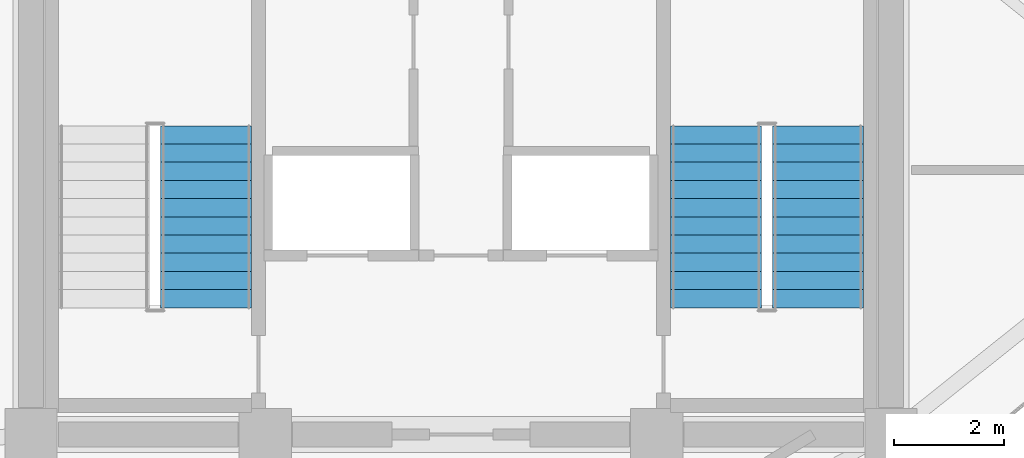
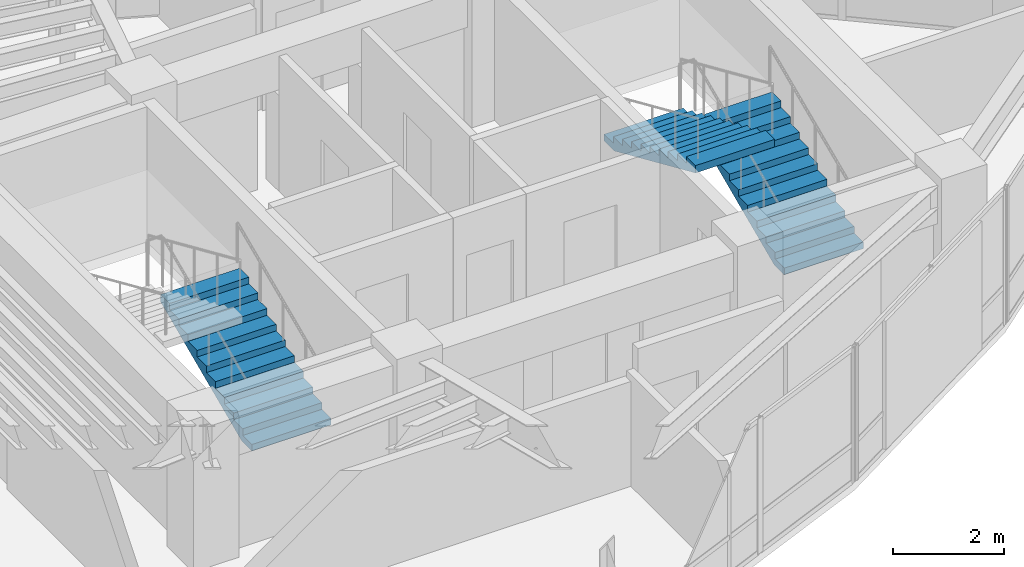
# One storey, part 13 of 14: 3 stair flights, 2 elements without a shape of their own.
"""IFC4 building model written with IfcOpenShell, lengths in metres."""

import ifcopenshell
import ifcopenshell.guid

model = None  # the IFC model being written
_history = None  # IfcOwnerHistory: only IFC2X3 demands one
_inside = {}  # id of a spatial element -> (the spatial element, [elements in it])
_under = {}  # id of a project, library or spatial element -> (it, [spatial elements below it])
_declared = {}  # id of a project -> (the project, [libraries it declares])
_typed = {}  # id of a type object -> (the type object, [elements of that type])
_made_of = {}  # id of a material, layer set ... -> (it, [elements and type objects made of it])


def new_model(schema):
    """Start an empty IFC model of exactly this schema.

    Asked for "IFC4X3", IfcOpenShell would pick the latest addendum, in which some entities
    have other attributes; the version numbers below select the first issue.
    IFC2X3 requires an IfcOwnerHistory on every rooted entity: one is made here for all.
    """
    global model, _history
    if schema == "IFC4X3":
        model = ifcopenshell.file(schema_version=(4, 3, 0, 0))
    else:
        model = ifcopenshell.file(schema=schema)
    _inside.clear()
    _under.clear()
    _declared.clear()
    _typed.clear()
    _made_of.clear()
    _history = None
    if model.schema == "IFC2X3":
        org = make("IfcOrganization", Name="unknown")
        user = make(
            "IfcPersonAndOrganization",
            ThePerson=make("IfcPerson", FamilyName="unknown"),
            TheOrganization=org,
        )
        app = make(
            "IfcApplication",
            ApplicationDeveloper=org,
            Version="unknown",
            ApplicationFullName="unknown",
            ApplicationIdentifier="unknown",
        )
        _history = make(
            "IfcOwnerHistory",
            OwningUser=user,
            OwningApplication=app,
            ChangeAction="ADDED",
            CreationDate=0,
        )
    return model


def make(cls, **values):
    """One entity of the class cls with the attributes given. An attribute that is None is left unset."""
    return model.create_entity(
        cls, **{name: value for name, value in values.items() if value is not None}
    )


def rooted(cls, **values):
    """An entity with a GlobalId (a new one), such as an element, a storey or a relation."""
    return make(cls, GlobalId=ifcopenshell.guid.new(), OwnerHistory=_history, **values)


def si_unit(unit_type, name, prefix=None):
    """IfcSIUnit, for example si_unit("LENGTHUNIT", "METRE", prefix="MILLI")."""
    return make("IfcSIUnit", UnitType=unit_type, Prefix=prefix, Name=name)


def assignment(units):
    """IfcUnitAssignment: the units of a project."""
    return None if units is None else make("IfcUnitAssignment", Units=units)


def point(xyz):
    """IfcCartesianPoint."""
    return None if xyz is None else make("IfcCartesianPoint", Coordinates=xyz)


def direction(xyz):
    """IfcDirection."""
    return None if xyz is None else make("IfcDirection", DirectionRatios=xyz)


def frame(location, z_axis=None, x_axis=None):
    """IfcAxis2Placement3D, a coordinate frame: its origin and axes. An axis left out is left unset."""
    return make(
        "IfcAxis2Placement3D",
        Location=point(location),
        Axis=direction(z_axis),
        RefDirection=direction(x_axis),
    )


def origin():
    """The frame at (0, 0, 0) with its axes left unset."""
    return frame((0.0, 0.0, 0.0))


def place(relative_to, where):
    """IfcLocalPlacement: puts the frame where relative to a parent placement (None: the world)."""
    return make(
        "IfcLocalPlacement", PlacementRelTo=relative_to, RelativePlacement=where
    )


def context(
    kind, dimensions, precision=None, world=None, true_north=None, identifier=None
):
    """IfcGeometricRepresentationContext, for example the 3D "Model" context."""
    return make(
        "IfcGeometricRepresentationContext",
        ContextIdentifier=identifier,
        ContextType=kind,
        CoordinateSpaceDimension=dimensions,
        Precision=precision,
        WorldCoordinateSystem=world,
        TrueNorth=true_north,
    )


def subcontext(parent, identifier, kind, view, scale=None):
    """IfcGeometricRepresentationSubContext, for example "Body" below "Model"."""
    return make(
        "IfcGeometricRepresentationSubContext",
        ContextIdentifier=identifier,
        ContextType=kind,
        ParentContext=parent,
        TargetScale=scale,
        TargetView=view,
    )


def project(units=None, contexts=None):
    """IfcProject with its units and contexts."""
    return rooted(
        "IfcProject",
        Name="project",
        RepresentationContexts=contexts,
        UnitsInContext=assignment(units),
    )


def spatial(cls, under=None, at=None, **own):
    """A site, building, storey or space (cls), placed at a placement, below another one or the project."""
    s = rooted(cls, ObjectPlacement=at, **own)
    if under is not None:
        _under.setdefault(under.id(), (under, []))[1].append(s)
    return s


def polyline(points):
    """IfcPolyline through the points."""
    return make("IfcPolyline", Points=[point(p) for p in points])


def outline(outer, holes=None, kind="AREA"):
    """IfcArbitraryClosedProfileDef: a profile drawn as a closed curve; with holes, ...WithVoids."""
    if holes is None:
        return make("IfcArbitraryClosedProfileDef", ProfileType=kind, OuterCurve=outer)
    return make(
        "IfcArbitraryProfileDefWithVoids",
        ProfileType=kind,
        OuterCurve=outer,
        InnerCurves=holes,
    )


def extrude(swept, where, along, depth):
    """IfcExtrudedAreaSolid: the profile swept, set in the frame where, extruded along a direction by depth."""
    return make(
        "IfcExtrudedAreaSolid",
        SweptArea=swept,
        Position=where,
        ExtrudedDirection=direction(along),
        Depth=depth,
    )


def shape(context_of_items, identifier, shape_type, items):
    """IfcShapeRepresentation: the items that make up one representation, for example the "Body"."""
    return make(
        "IfcShapeRepresentation",
        ContextOfItems=context_of_items,
        RepresentationIdentifier=identifier,
        RepresentationType=shape_type,
        Items=items,
    )


def material(Name=None, Category=None):
    """IfcMaterial."""
    return make("IfcMaterial", Name=Name, Category=Category)


def made_of(thing, what):
    """Note that an element or type object is made of a material, layer set ...; save() writes the relation."""
    if what is not None:
        _made_of.setdefault(what.id(), (what, []))[1].append(thing)
    return thing


def type_object(cls, material=None, **own):
    """A type object (cls), such as IfcWallType, which elements share."""
    return made_of(rooted(cls, **own), material)


def element(
    cls,
    number,
    at=None,
    inside=None,
    cuts=None,
    type_object=None,
    material=None,
    context=None,
    identifier="Body",
    shape_type=None,
    held_by="IfcProductDefinitionShape",
    body=None,
    shapes=None,
    **own,
):
    """One element of the class cls, such as IfcWall. Its Tag is "e" and its number.

    at: its placement. inside: the storey or other place that contains it. cuts: it is an
    opening in that element (IfcRelVoidsElement). A single representation is given by context,
    identifier, shape_type and body (its items); several are given by shapes. held_by: the class
    of the entity that holds the representations. save() writes the other relations.
    """
    e = rooted(cls, Tag="e%d" % number, ObjectPlacement=at, **own)
    if body is not None:
        shapes = [shape(context, identifier, shape_type, body)]
    if shapes is not None:
        e.Representation = make(held_by, Representations=shapes)
    if inside is not None:
        _inside.setdefault(inside.id(), (inside, []))[1].append(e)
    if cuts is not None:
        rooted(
            "IfcRelVoidsElement", RelatingBuildingElement=cuts, RelatedOpeningElement=e
        )
    if type_object is not None:
        _typed.setdefault(type_object.id(), (type_object, []))[1].append(e)
    return made_of(e, material)


def aggregate(whole, parts):
    """IfcRelAggregates: a whole, such as a stair, and the parts it consists of."""
    return rooted("IfcRelAggregates", RelatingObject=whole, RelatedObjects=parts)


def save(model, path):
    """Write the relations noted so far, then the file.

    IfcRelAggregates (storeys below a building ...), IfcRelContainedInSpatialStructure (elements
    in a storey), IfcRelDefinesByType, IfcRelAssociatesMaterial and IfcRelDeclares: one each for
    every whole, place, type object, material and project.
    """
    for whole, parts in _under.values():
        aggregate(whole, parts)
    for where, things in _inside.values():
        rooted(
            "IfcRelContainedInSpatialStructure",
            RelatedElements=things,
            RelatingStructure=where,
        )
    for kind, things in _typed.values():
        rooted("IfcRelDefinesByType", RelatedObjects=things, RelatingType=kind)
    for what, things in _made_of.values():
        rooted("IfcRelAssociatesMaterial", RelatedObjects=things, RelatingMaterial=what)
    for by, libraries in _declared.values():
        rooted("IfcRelDeclares", RelatingContext=by, RelatedDefinitions=libraries)
    model.write(path)


model = new_model("IFC4")

# Units and contexts
model_context = context("Model", 3, precision=1e-05, world=origin(), true_north=direction((0.0, 1.0)))
body_context = subcontext(model_context, "Body", "Model", "MODEL_VIEW")
ifc_project = project(units=[si_unit("LENGTHUNIT", "METRE"), si_unit("AREAUNIT", "SQUARE_METRE"), si_unit("VOLUMEUNIT", "CUBIC_METRE"), si_unit("PLANEANGLEUNIT", "RADIAN"), si_unit("MASSUNIT", "GRAM", prefix="KILO")], contexts=[model_context])

# Site, building, storey
site_placement = place(None, origin())
site = spatial("IfcSite", under=ifc_project, at=site_placement, CompositionType="ELEMENT")
building_placement = place(site_placement, origin())
building = spatial("IfcBuilding", under=site, at=building_placement, Name="Menara Vayukalpa", CompositionType="ELEMENT")
storey_placement = place(building_placement, frame((0.0, 0.0, 302.419921875)))
storey = spatial("IfcBuildingStorey", under=building, at=storey_placement, Name="L77", CompositionType="ELEMENT", Elevation=302.419921875)

# Stair, stair flight
ifc_material_1 = material(Name="Precast Concrete C40/50", Category="concrete")
stair_type = type_object("IfcStairType", Name="STR-T07", PredefinedType="DOUBLE_RETURN_STAIR", material=ifc_material_1)
stair_1_placement = place(storey_placement, origin())
stair_1 = element("IfcStair", 1, at=stair_1_placement, inside=storey, type_object=stair_type, Name="L77 Core Exit Stair ST-1", PredefinedType="DOUBLE_RETURN_STAIR")
ifc_material_2 = material(Name="Precast Concrete C40/50", Category="concrete")
stair_flight_type = type_object("IfcStairFlightType", Name="STF-T07", PredefinedType="STRAIGHT", material=ifc_material_2)
stair_flight_1_placement = place(storey_placement, frame((20.97509765625, 19.5, 0.0), z_axis=(0.0, 0.0, 1.0), x_axis=(0.0, 1.0, 0.0)))
stair_flight_1 = element("IfcStairFlight", 2, at=stair_flight_1_placement, type_object=stair_flight_type, Name="ST-1 flight 1", NumberOfRisers=11, NumberOfTreads=10, PredefinedType="STRAIGHT", RiserHeight=0.145454545, TreadLength=0.33, context=body_context, shape_type="SweptSolid", body=[
    extrude(outline(polyline([(0.0, 0.0), (0.0, 0.1455078125), (0.330078125, 0.1455078125), (0.330078125, 0.291015625), (0.659912109375, 0.291015625), (0.659912109375, 0.436279296875), (0.989990234375, 0.436279296875), (0.989990234375, 0.581787109375), (1.320068359375, 0.581787109375), (1.320068359375, 0.727294921875), (1.64990234375, 0.727294921875), (1.64990234375, 0.872802734375), (1.97998046875, 0.872802734375), (1.97998046875, 1.01806640625), (2.31005859375, 1.01806640625), (2.31005859375, 1.16357421875), (2.639892578125, 1.16357421875), (2.639892578125, 1.30908203125), (2.969970703125, 1.30908203125), (2.969970703125, 1.45458984375), (3.300048828125, 1.45458984375), (3.300048828125, 1.60009765625), (3.300048828125, 1.290771484375), (0.37158203125, 0.0), (0.0, 0.0)])), frame((0.0, 0.824951171875, 0.0), z_axis=(0.0, -1.0, 0.0), x_axis=(1.0, 0.0, 0.0)), (0.0, 0.0, 1.0), 1.64990234375),
])
aggregate(stair_1, [stair_flight_1])

# Stair, stair flights
stair_2_placement = place(storey_placement, origin())
stair_2 = element("IfcStair", 3, at=stair_2_placement, inside=storey, type_object=stair_type, Name="L77 Core Exit Stair ST-2", PredefinedType="DOUBLE_RETURN_STAIR")
stair_flight_2_placement = place(storey_placement, frame((32.074951171875, 19.5, 0.0), z_axis=(0.0, 0.0, 1.0), x_axis=(0.0, 1.0, 0.0)))
stair_flight_2 = element("IfcStairFlight", 4, at=stair_flight_2_placement, type_object=stair_flight_type, Name="ST-2 flight 1", NumberOfRisers=11, NumberOfTreads=10, PredefinedType="STRAIGHT", RiserHeight=0.145454545, TreadLength=0.33, context=body_context, shape_type="SweptSolid", body=[
    extrude(outline(polyline([(0.0, 0.0), (0.0, 0.1455078125), (0.330078125, 0.1455078125), (0.330078125, 0.291015625), (0.659912109375, 0.291015625), (0.659912109375, 0.436279296875), (0.989990234375, 0.436279296875), (0.989990234375, 0.581787109375), (1.320068359375, 0.581787109375), (1.320068359375, 0.727294921875), (1.64990234375, 0.727294921875), (1.64990234375, 0.872802734375), (1.97998046875, 0.872802734375), (1.97998046875, 1.01806640625), (2.31005859375, 1.01806640625), (2.31005859375, 1.16357421875), (2.639892578125, 1.16357421875), (2.639892578125, 1.30908203125), (2.969970703125, 1.30908203125), (2.969970703125, 1.45458984375), (3.300048828125, 1.45458984375), (3.300048828125, 1.60009765625), (3.300048828125, 1.290771484375), (0.37158203125, 0.0), (0.0, 0.0)])), frame((0.0, 0.824951171875, 0.0), z_axis=(0.0, -1.0, 0.0), x_axis=(1.0, 0.0, 0.0)), (0.0, 0.0, 1.0), 1.64990234375),
])
stair_flight_3_placement = place(storey_placement, frame((30.22509765625, 22.800048828125, 1.60009765625), z_axis=(0.0, 0.0, 1.0), x_axis=(0.0, -1.0, 0.0)))
stair_flight_3 = element("IfcStairFlight", 5, at=stair_flight_3_placement, type_object=stair_flight_type, Name="ST-2 flight 2", NumberOfRisers=11, NumberOfTreads=10, PredefinedType="STRAIGHT", RiserHeight=0.145454545, TreadLength=0.33, context=body_context, shape_type="SweptSolid", body=[
    extrude(outline(polyline([(0.0, 0.0), (0.0, 0.1455078125), (0.330078125, 0.1455078125), (0.330078125, 0.291015625), (0.659912109375, 0.291015625), (0.659912109375, 0.436279296875), (0.989990234375, 0.436279296875), (0.989990234375, 0.581787109375), (1.320068359375, 0.581787109375), (1.320068359375, 0.727294921875), (1.64990234375, 0.727294921875), (1.64990234375, 0.872802734375), (1.97998046875, 0.872802734375), (1.97998046875, 1.01806640625), (2.31005859375, 1.01806640625), (2.31005859375, 1.16357421875), (2.639892578125, 1.16357421875), (2.639892578125, 1.30908203125), (2.969970703125, 1.30908203125), (2.969970703125, 1.45458984375), (3.300048828125, 1.45458984375), (3.300048828125, 1.60009765625), (3.300048828125, 1.290771484375), (0.37158203125, 0.0), (0.0, 0.0)])), frame((0.0, 0.824951171875, 0.0), z_axis=(0.0, -1.0, 0.0), x_axis=(1.0, 0.0, 0.0)), (0.0, 0.0, 1.0), 1.64990234375),
])
aggregate(stair_2, [stair_flight_2, stair_flight_3])

save(model, "model.ifc")
